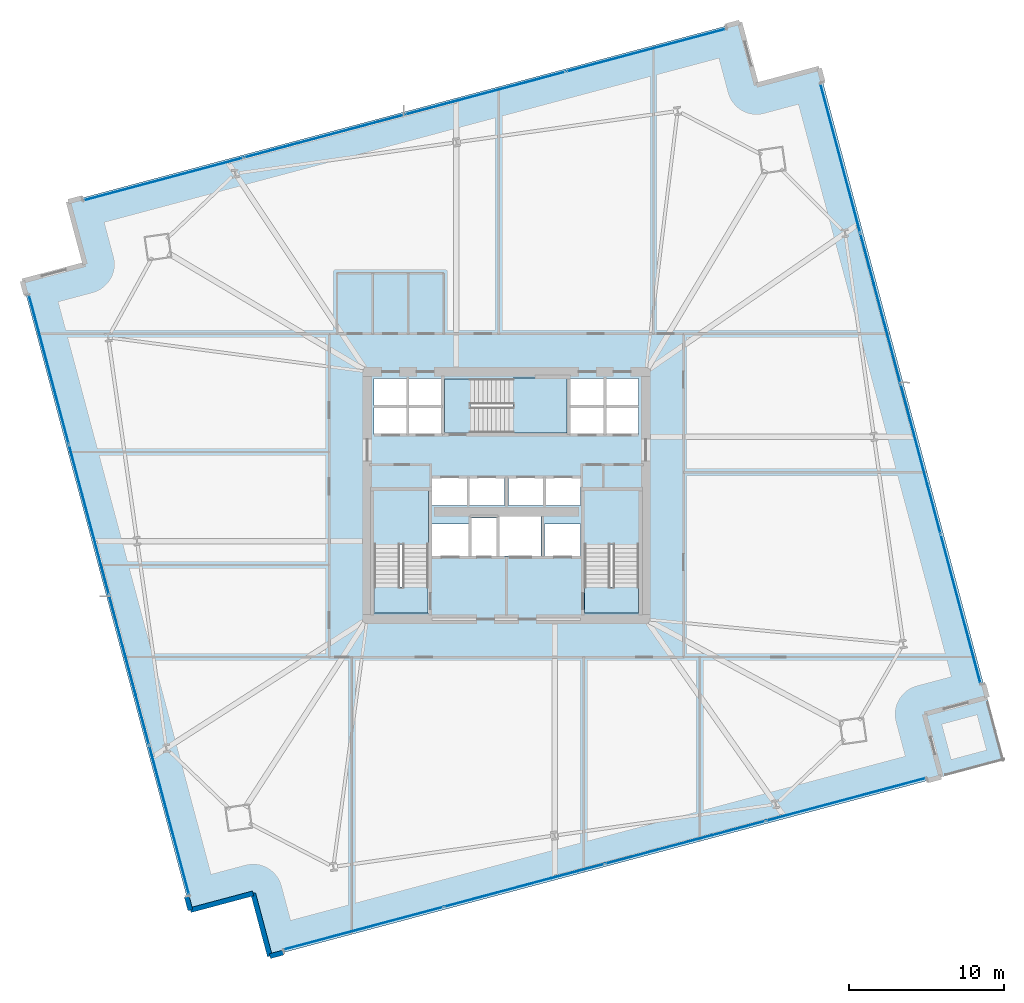
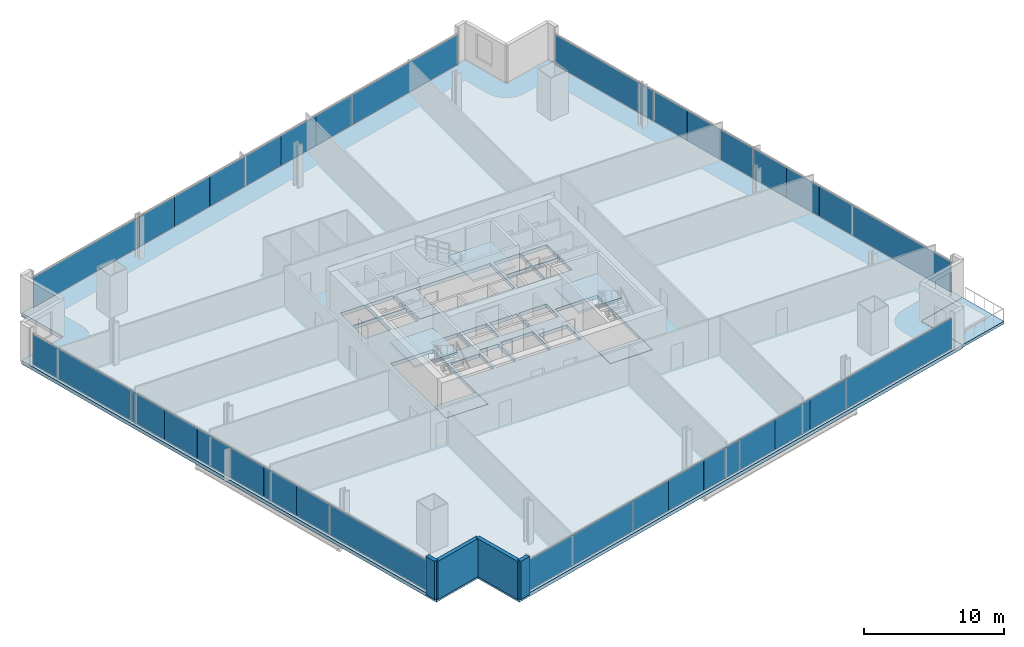
# One storey, part 24 of 33: 32 plates, 8 slabs, 4 walls, 7 elements without a shape of their own.
"""IFC4 building model written with IfcOpenShell, lengths in metres."""

from ifc_helpers import new_model, si_unit, direction, frame, frame_2d, origin, origin_2d, place, context, subcontext, project, spatial, polyline, rectangle, outline, extrude, source, transform, mapped, material, layer, layer_set, type_object, element, aggregate, save


model = new_model("IFC4")

# Units and contexts
model_context = context("Model", 3, precision=1e-05, world=origin(), true_north=direction((0.0, 1.0)))
body_context = subcontext(model_context, "Body", "Model", "MODEL_VIEW")
ifc_project = project(units=[si_unit("LENGTHUNIT", "METRE"), si_unit("AREAUNIT", "SQUARE_METRE"), si_unit("VOLUMEUNIT", "CUBIC_METRE"), si_unit("PLANEANGLEUNIT", "RADIAN"), si_unit("MASSUNIT", "GRAM", prefix="KILO")], contexts=[model_context])

# Site, building, storey
site_placement = place(None, origin())
site = spatial("IfcSite", under=ifc_project, at=site_placement, CompositionType="ELEMENT")
building_placement = place(site_placement, origin())
building = spatial("IfcBuilding", under=site, at=building_placement, Name="Haldenkirk Collegiate Tower", CompositionType="ELEMENT")
storey_placement = place(building_placement, frame((0.0, 0.0, 77.699951171875)))
storey = spatial("IfcBuildingStorey", under=building, at=storey_placement, Name="L18", CompositionType="ELEMENT", Elevation=77.699951171875)

# Slab
ifc_material_1 = material(Name="Concrete f'c 40 MPa", Category="concrete")
ifc_layer_1 = layer(ifc_material_1, 0.31005859375)
ifc_layer_set_1 = layer_set([ifc_layer_1], Name="Concrete f'c 40 MPa")
slab_type_1 = type_object("IfcSlabType", Name="SLB-FLR-310", PredefinedType="FLOOR", material=ifc_layer_set_1)
slab_1_placement = place(storey_placement, frame((0.0, 0.0, -0.31005859375)))
element("IfcSlab", 1, at=slab_1_placement, inside=storey, type_object=slab_type_1, Name="L18 composite structural floor slab", PredefinedType="FLOOR", context=body_context, shape_type="SweptSolid", body=[
    extrude(outline(polyline([(20.714111328125, -3.7763671875), (64.094482421875, 7.806884765625), (63.010986328125, 11.86474609375), (67.068603515625, 12.9482421875), (56.21435546875, 53.59912109375), (52.156494140625, 52.515380859375), (51.072998046875, 56.5732421875), (7.69287109375, 44.990234375), (8.7763671875, 40.932373046875), (4.718505859375, 39.848876953125), (15.57275390625, -0.802001953125), (19.630615234375, 0.281494140625), (20.714111328125, -3.7763671875)]), holes=[polyline([(27.449951171875, 18.39990234375), (30.949951171875, 18.39990234375), (30.949951171875, 26.300048828125), (27.449951171875, 26.300048828125), (27.449951171875, 18.39990234375)]), polyline([(41.050048828125, 18.39990234375), (44.550048828125, 18.39990234375), (44.550048828125, 26.300048828125), (41.050048828125, 26.300048828125), (41.050048828125, 18.39990234375)]), polyline([(32.0, 30.050048828125), (39.89990234375, 30.050048828125), (39.89990234375, 33.550048828125), (32.0, 33.550048828125), (32.0, 30.050048828125)]), polyline([(33.75, 22.10009765625), (35.35009765625, 22.10009765625), (35.35009765625, 24.550048828125), (33.75, 24.550048828125), (33.75, 22.10009765625)]), polyline([(27.449951171875, 29.949951171875), (29.580078125, 29.949951171875), (29.580078125, 31.699951171875), (27.449951171875, 31.699951171875), (27.449951171875, 29.949951171875)]), polyline([(29.679931640625, 29.949951171875), (31.85009765625, 29.949951171875), (31.85009765625, 31.699951171875), (29.679931640625, 31.699951171875), (29.679931640625, 29.949951171875)]), polyline([(27.449951171875, 31.800048828125), (29.580078125, 31.800048828125), (29.580078125, 33.550048828125), (27.449951171875, 33.550048828125), (27.449951171875, 31.800048828125)]), polyline([(29.679931640625, 31.800048828125), (31.85009765625, 31.800048828125), (31.85009765625, 33.550048828125), (29.679931640625, 33.550048828125), (29.679931640625, 31.800048828125)]), polyline([(40.14990234375, 29.949951171875), (42.320068359375, 29.949951171875), (42.320068359375, 31.699951171875), (40.14990234375, 31.699951171875), (40.14990234375, 29.949951171875)]), polyline([(42.419921875, 29.949951171875), (44.550048828125, 29.949951171875), (44.550048828125, 31.699951171875), (42.419921875, 31.699951171875), (42.419921875, 29.949951171875)]), polyline([(40.14990234375, 31.800048828125), (42.320068359375, 31.800048828125), (42.320068359375, 33.550048828125), (40.14990234375, 33.550048828125), (40.14990234375, 31.800048828125)]), polyline([(42.419921875, 31.800048828125), (44.550048828125, 31.800048828125), (44.550048828125, 33.550048828125), (42.419921875, 33.550048828125), (42.419921875, 31.800048828125)]), polyline([(31.199951171875, 25.35009765625), (33.47998046875, 25.35009765625), (33.47998046875, 27.14990234375), (31.199951171875, 27.14990234375), (31.199951171875, 25.35009765625)]), polyline([(33.60009765625, 25.35009765625), (35.8798828125, 25.35009765625), (35.8798828125, 27.14990234375), (33.60009765625, 27.14990234375), (33.60009765625, 25.35009765625)]), polyline([(36.1201171875, 25.35009765625), (38.39990234375, 25.35009765625), (38.39990234375, 27.14990234375), (36.1201171875, 27.14990234375), (36.1201171875, 25.35009765625)]), polyline([(38.52001953125, 25.35009765625), (40.800048828125, 25.35009765625), (40.800048828125, 27.14990234375), (38.52001953125, 27.14990234375), (38.52001953125, 25.35009765625)]), polyline([(31.199951171875, 22.10009765625), (33.550048828125, 22.10009765625), (33.550048828125, 24.14990234375), (31.199951171875, 24.14990234375), (31.199951171875, 22.10009765625)]), polyline([(38.449951171875, 22.10009765625), (40.800048828125, 22.10009765625), (40.800048828125, 24.14990234375), (38.449951171875, 24.14990234375), (38.449951171875, 22.10009765625)]), polyline([(35.550048828125, 22.10009765625), (38.25, 22.10009765625), (38.25, 24.64990234375), (35.550048828125, 24.64990234375), (35.550048828125, 22.10009765625)])]), origin(), (0.0, 0.0, 1.0), 0.31005859375),
])

# Stair, slab
stair_type = type_object("IfcStairType", Name="STR-DOGLEG-1650", PredefinedType="HALF_TURN_STAIR", material=ifc_material_1)
stair_1_placement = place(storey_placement, origin())
stair_1 = element("IfcStair", 2, at=stair_1_placement, inside=storey, type_object=stair_type, Name="L18 Core Exit Stair ST-1", PredefinedType="HALF_TURN_STAIR")
ifc_layer_2 = layer(ifc_material_1, 0.199951171875)
ifc_layer_set_2 = layer_set([ifc_layer_2], Name="Concrete f'c 40 MPa")
slab_type_2 = type_object("IfcSlabType", Name="SLB-LANDING-200", PredefinedType="LANDING", material=ifc_layer_set_2)
slab_2_placement = place(storey_placement, frame((0.0, 0.0, 1.675048828125)))
slab_2 = element("IfcSlab", 3, at=slab_2_placement, type_object=slab_type_2, Name="ST-1 landing 1", PredefinedType="LANDING", context=body_context, shape_type="SweptSolid", body=[
    extrude(outline(polyline([(30.97509765625, 22.824951171875), (27.425048828125, 22.824951171875), (27.425048828125, 26.324951171875), (30.97509765625, 26.324951171875), (30.97509765625, 22.824951171875)])), origin(), (0.0, 0.0, 1.0), 0.199951171875),
])
aggregate(stair_1, [slab_2])

stair_2_placement = place(storey_placement, origin())
stair_2 = element("IfcStair", 4, at=stair_2_placement, inside=storey, type_object=stair_type, Name="L18 Core Exit Stair ST-2", PredefinedType="HALF_TURN_STAIR")
slab_3_placement = place(storey_placement, frame((0.0, 0.0, 1.675048828125)))
slab_3 = element("IfcSlab", 5, at=slab_3_placement, type_object=slab_type_2, Name="ST-2 landing 1", PredefinedType="LANDING", context=body_context, shape_type="SweptSolid", body=[
    extrude(outline(polyline([(44.574951171875, 22.824951171875), (41.02490234375, 22.824951171875), (41.02490234375, 26.324951171875), (44.574951171875, 26.324951171875), (44.574951171875, 22.824951171875)])), origin(), (0.0, 0.0, 1.0), 0.199951171875),
])
aggregate(stair_2, [slab_3])

stair_3_placement = place(storey_placement, origin())
stair_3 = element("IfcStair", 6, at=stair_3_placement, inside=storey, type_object=stair_type, Name="L18 Core Exit Stair ST-3", PredefinedType="HALF_TURN_STAIR")
slab_4_placement = place(storey_placement, frame((0.0, 0.0, 1.675048828125)))
slab_4 = element("IfcSlab", 7, at=slab_4_placement, type_object=slab_type_2, Name="ST-3 landing 1", PredefinedType="LANDING", context=body_context, shape_type="SweptSolid", body=[
    extrude(outline(polyline([(36.425048828125, 30.02490234375), (36.425048828125, 33.574951171875), (39.925048828125, 33.574951171875), (39.925048828125, 30.02490234375), (36.425048828125, 30.02490234375)])), origin(), (0.0, 0.0, 1.0), 0.199951171875),
])
aggregate(stair_3, [slab_4])

# Slabs
ifc_layer_3 = layer(ifc_material_1, 0.25)
ifc_layer_set_3 = layer_set([ifc_layer_3], Name="Concrete f'c 40 MPa")
slab_type_3 = type_object("IfcSlabType", Name="SLB-STAIRLAND-250", PredefinedType="LANDING", material=ifc_layer_set_3)
slab_5_placement = place(storey_placement, frame((0.0, 0.0, -0.25)))
element("IfcSlab", 8, at=slab_5_placement, inside=storey, type_object=slab_type_3, Name="L18 stair ST1 structural floor landing slab", PredefinedType="LANDING", context=body_context, shape_type="SweptSolid", body=[
    extrude(outline(polyline([(27.4599609375, 18.409912109375), (30.93994140625, 18.409912109375), (30.93994140625, 20.080078125), (27.4599609375, 20.080078125), (27.4599609375, 18.409912109375)])), origin(), (0.0, 0.0, 1.0), 0.25),
])
slab_6_placement = place(storey_placement, frame((0.0, 0.0, -0.25)))
element("IfcSlab", 9, at=slab_6_placement, inside=storey, type_object=slab_type_3, Name="L18 stair ST2 structural floor landing slab", PredefinedType="LANDING", context=body_context, shape_type="SweptSolid", body=[
    extrude(outline(polyline([(41.06005859375, 18.409912109375), (44.5400390625, 18.409912109375), (44.5400390625, 20.080078125), (41.06005859375, 20.080078125), (41.06005859375, 18.409912109375)])), origin(), (0.0, 0.0, 1.0), 0.25),
])
slab_7_placement = place(storey_placement, frame((0.0, 0.0, -0.25)))
element("IfcSlab", 10, at=slab_7_placement, inside=storey, type_object=slab_type_3, Name="L18 stair ST3 structural floor landing slab", PredefinedType="LANDING", context=body_context, shape_type="SweptSolid", body=[
    extrude(outline(polyline([(32.010009765625, 30.06005859375), (33.679931640625, 30.06005859375), (33.679931640625, 33.5400390625), (32.010009765625, 33.5400390625), (32.010009765625, 30.06005859375)])), origin(), (0.0, 0.0, 1.0), 0.25),
])
ifc_layer_4 = layer(ifc_material_1, 0.22998046875)
ifc_layer_set_4 = layer_set([ifc_layer_4], Name="Concrete f'c 40 MPa")
slab_type_4 = type_object("IfcSlabType", Name="SLB-TERR-SPIRAL-230", PredefinedType="FLOOR", material=ifc_layer_set_4)
slab_8_placement = place(storey_placement, frame((0.0, 0.0, -0.22998046875)))
element("IfcSlab", 11, at=slab_8_placement, inside=storey, type_object=slab_type_4, Name="L18 spiralling corner terrace slab", PredefinedType="FLOOR", context=body_context, shape_type="SweptSolid", body=[
    extrude(outline(polyline([(64.094482421875, 7.806884765625), (68.152099609375, 8.890380859375), (67.068603515625, 12.9482421875), (63.010986328125, 11.86474609375), (64.094482421875, 7.806884765625)])), origin(), (0.0, 0.0, 1.0), 0.22998046875),
])

# Curtain wall, plates
ifc_material_2 = material(Name="Anodised architectural bronze aluminium", Category="aluminium")
curtain_wall_type_1 = type_object("IfcCurtainWallType", Name="CW-SYS2-CONCAVE", PredefinedType="USERDEFINED", material=ifc_material_2)
curtain_wall_1_placement = place(storey_placement, origin())
curtain_wall_1 = element("IfcCurtainWall", 12, at=curtain_wall_1_placement, inside=storey, type_object=curtain_wall_type_1, Name="L18 South concave recessed bronze-anodised curtain wall", ObjectType="UNITISED CURTAIN WALL", PredefinedType="USERDEFINED")
ifc_material_3 = material(Name="Low-E argon triple insulating glass", Category="glass")
ifc_layer_5 = layer(ifc_material_3, 0.0419921875)
ifc_layer_set_5 = layer_set([ifc_layer_5], Name="Low-E argon triple insulating glass")
plate_type_1 = type_object("IfcPlateType", Name="CW-PNL-02", PredefinedType="CURTAIN_PANEL", material=ifc_layer_set_5)
shared_shape_1 = source(origin(), body_context, "Body", "SweptSolid", [
    extrude(rectangle(XDim=10.66259765625, YDim=0.0419921875, at=origin_2d()), origin(), (0.0, 0.0, 1.0), 2.64111328125),
])
plate_1_placement = place(storey_placement, frame((57.955322265625, 6.35400390625, 0.074951171875), z_axis=(0.0, 0.0, 1.0), x_axis=(-0.966151246644, -0.257976294663, 0.0)))
plate_1 = element("IfcPlate", 13, at=plate_1_placement, type_object=plate_type_1, Name="CW-02 panel 1.1", PredefinedType="CURTAIN_PANEL", context=body_context, shape_type="MappedRepresentation", body=[
    mapped(shared_shape_1, transform((0.0, 0.0, 0.0), x_axis=(1.0, 0.0, 0.0), y_axis=(0.0, 1.0, 0.0), z_axis=(0.0, 0.0, 1.0), scale=1.0)),
])
plate_2_placement = place(storey_placement, frame((26.760498046875, -1.9755859375, 0.074951171875), z_axis=(0.0, 0.0, 1.0), x_axis=(-0.966151246644, -0.257976294663, 0.0)))
plate_2 = element("IfcPlate", 14, at=plate_2_placement, type_object=plate_type_1, Name="CW-02 panel 4.1", PredefinedType="CURTAIN_PANEL", context=body_context, shape_type="MappedRepresentation", body=[
    mapped(shared_shape_1, transform((0.0, 0.0, 0.0), x_axis=(1.0, 0.0, 0.0), y_axis=(0.0, 1.0, 0.0), z_axis=(0.0, 0.0, 1.0), scale=1.0)),
])
shared_shape_2 = source(origin(), body_context, "Body", "SweptSolid", [
    extrude(rectangle(XDim=3.55419921875, YDim=0.0419921875, at=origin_2d()), origin(), (0.0, 0.0, 1.0), 2.64111328125),
])
plate_3_placement = place(storey_placement, frame((51.014892578125, 4.500732421875, 0.074951171875), z_axis=(0.0, 0.0, 1.0), x_axis=(-0.966151246644, -0.257976294663, 0.0)))
plate_3 = element("IfcPlate", 15, at=plate_3_placement, type_object=plate_type_1, Name="CW-02 panel 2.1a", PredefinedType="CURTAIN_PANEL", context=body_context, shape_type="MappedRepresentation", body=[
    mapped(shared_shape_2, transform((0.0, 0.0, 0.0), x_axis=(1.0, 0.0, 0.0), y_axis=(0.0, 1.0, 0.0), z_axis=(0.0, 0.0, 1.0), scale=1.0)),
])
ifc_material_4 = material(Name="Bronze-anodised insulated aluminium spandrel panel", Category="aluminium")
ifc_layer_6 = layer(ifc_material_4, 0.0419921875)
ifc_layer_set_6 = layer_set([ifc_layer_6], Name="Bronze-anodised insulated aluminium spandrel panel")
plate_type_2 = type_object("IfcPlateType", Name="CW-SPD-02", PredefinedType="CURTAIN_PANEL", material=ifc_layer_set_6)
plate_4_placement = place(storey_placement, frame((44.111083984375, 2.6572265625, 0.074951171875), z_axis=(0.0, 0.0, 1.0), x_axis=(-0.966151246644, -0.257976294663, 0.0)))
plate_4 = element("IfcPlate", 16, at=plate_4_placement, type_object=plate_type_2, Name="CW-02 spandrel panel 2.1c", PredefinedType="CURTAIN_PANEL", context=body_context, shape_type="MappedRepresentation", body=[
    mapped(shared_shape_2, transform((0.0, 0.0, 0.0), x_axis=(1.0, 0.0, 0.0), y_axis=(0.0, 1.0, 0.0), z_axis=(0.0, 0.0, 1.0), scale=1.0)),
])
plate_5_placement = place(storey_placement, frame((40.604736328125, 1.72119140625, 0.074951171875), z_axis=(0.0, 0.0, 1.0), x_axis=(-0.966151246644, -0.257976294663, 0.0)))
plate_5 = element("IfcPlate", 17, at=plate_5_placement, type_object=plate_type_2, Name="CW-02 spandrel panel 3.1a", PredefinedType="CURTAIN_PANEL", context=body_context, shape_type="MappedRepresentation", body=[
    mapped(shared_shape_2, transform((0.0, 0.0, 0.0), x_axis=(1.0, 0.0, 0.0), y_axis=(0.0, 1.0, 0.0), z_axis=(0.0, 0.0, 1.0), scale=1.0)),
])
plate_6_placement = place(storey_placement, frame((33.70068359375, -0.122314453125, 0.074951171875), z_axis=(0.0, 0.0, 1.0), x_axis=(-0.966151246644, -0.257976294663, 0.0)))
plate_6 = element("IfcPlate", 18, at=plate_6_placement, type_object=plate_type_1, Name="CW-02 panel 3.1c", PredefinedType="CURTAIN_PANEL", context=body_context, shape_type="MappedRepresentation", body=[
    mapped(shared_shape_2, transform((0.0, 0.0, 0.0), x_axis=(1.0, 0.0, 0.0), y_axis=(0.0, 1.0, 0.0), z_axis=(0.0, 0.0, 1.0), scale=1.0)),
])
shared_shape_3 = source(origin(), body_context, "Body", "SweptSolid", [
    extrude(rectangle(XDim=3.541748046875, YDim=0.0419921875, at=origin_2d()), origin(), (0.0, 0.0, 1.0), 2.64111328125),
])
plate_7_placement = place(storey_placement, frame((47.56298828125, 3.5791015625, 0.074951171875), z_axis=(0.0, 0.0, 1.0), x_axis=(-0.966151246644, -0.257976294663, 0.0)))
plate_7 = element("IfcPlate", 19, at=plate_7_placement, type_object=plate_type_2, Name="CW-02 spandrel panel 2.1b", PredefinedType="CURTAIN_PANEL", context=body_context, shape_type="MappedRepresentation", body=[
    mapped(shared_shape_3, transform((0.0, 0.0, 0.0), x_axis=(1.0, 0.0, 0.0), y_axis=(0.0, 1.0, 0.0), z_axis=(0.0, 0.0, 1.0), scale=1.0)),
])
plate_8_placement = place(storey_placement, frame((37.15283203125, 0.79931640625, 0.074951171875), z_axis=(0.0, 0.0, 1.0), x_axis=(-0.966151246644, -0.257976294663, 0.0)))
plate_8 = element("IfcPlate", 20, at=plate_8_placement, type_object=plate_type_2, Name="CW-02 spandrel panel 3.1b", PredefinedType="CURTAIN_PANEL", context=body_context, shape_type="MappedRepresentation", body=[
    mapped(shared_shape_3, transform((0.0, 0.0, 0.0), x_axis=(1.0, 0.0, 0.0), y_axis=(0.0, 1.0, 0.0), z_axis=(0.0, 0.0, 1.0), scale=1.0)),
])
aggregate(curtain_wall_1, [plate_1, plate_3, plate_7, plate_4, plate_5, plate_8, plate_6, plate_2])

curtain_wall_type_2 = type_object("IfcCurtainWallType", Name="CW-SYS1-CONVEX-LOW", PredefinedType="USERDEFINED", material=ifc_material_2)
curtain_wall_2_placement = place(storey_placement, origin())
curtain_wall_2 = element("IfcCurtainWall", 21, at=curtain_wall_2_placement, inside=storey, type_object=curtain_wall_type_2, Name="L18 Lower tower convex bronze-framed unitised curtain wall", ObjectType="UNITISED CURTAIN WALL", PredefinedType="USERDEFINED")
ifc_layer_7 = layer(ifc_material_3, 0.0439453125)
ifc_layer_set_7 = layer_set([ifc_layer_7], Name="Low-E argon triple insulating glass")
plate_type_3 = type_object("IfcPlateType", Name="CW-PNL-1A", PredefinedType="CURTAIN_PANEL", material=ifc_layer_set_7)
shared_shape_4 = source(origin(), body_context, "Body", "SweptSolid", [
    extrude(rectangle(XDim=9.94873046875, YDim=0.0439453125, at=origin_2d()), origin(), (0.0, 0.0, 1.0), 2.631103515625),
])
plate_9_placement = place(storey_placement, frame((57.576416015625, 47.7998046875, 0.080078125), z_axis=(0.0, 0.0, 1.0), x_axis=(0.257976042062, -0.966151314092, 0.0)))
plate_9 = element("IfcPlate", 22, at=plate_9_placement, type_object=plate_type_3, Name="CW-1A panel 1.1", PredefinedType="CURTAIN_PANEL", context=body_context, shape_type="MappedRepresentation", body=[
    mapped(shared_shape_4, transform((0.0, 0.0, 0.0), x_axis=(1.0, 0.0, 0.0), y_axis=(0.0, 1.0, 0.0), z_axis=(0.0, 0.0, 1.0), scale=1.0)),
])
plate_10_placement = place(storey_placement, frame((65.358642578125, 18.654541015625, 0.080078125), z_axis=(0.0, 0.0, 1.0), x_axis=(0.257976042062, -0.966151314092, 0.0)))
plate_10 = element("IfcPlate", 23, at=plate_10_placement, type_object=plate_type_3, Name="CW-1A panel 4.1", PredefinedType="CURTAIN_PANEL", context=body_context, shape_type="MappedRepresentation", body=[
    mapped(shared_shape_4, transform((0.0, 0.0, 0.0), x_axis=(1.0, 0.0, 0.0), y_axis=(0.0, 1.0, 0.0), z_axis=(0.0, 0.0, 1.0), scale=1.0)),
])

curtain_wall_3_placement = place(storey_placement, origin())
curtain_wall_3 = element("IfcCurtainWall", 24, at=curtain_wall_3_placement, inside=storey, type_object=curtain_wall_type_2, Name="L18 Lower tower convex bronze-framed unitised curtain wall", ObjectType="UNITISED CURTAIN WALL", PredefinedType="USERDEFINED")
plate_11_placement = place(storey_placement, frame((14.210693359375, 4.997314453125, 0.080078125), z_axis=(0.0, 0.0, 1.0), x_axis=(-0.257973724375, 0.966151932944, 0.0)))
plate_11 = element("IfcPlate", 25, at=plate_11_placement, type_object=plate_type_3, Name="CW-1A panel 1.1", PredefinedType="CURTAIN_PANEL", context=body_context, shape_type="MappedRepresentation", body=[
    mapped(shared_shape_4, transform((0.0, 0.0, 0.0), x_axis=(1.0, 0.0, 0.0), y_axis=(0.0, 1.0, 0.0), z_axis=(0.0, 0.0, 1.0), scale=1.0)),
])
plate_12_placement = place(storey_placement, frame((6.428466796875, 34.142578125, 0.080078125), z_axis=(0.0, 0.0, 1.0), x_axis=(-0.257973724375, 0.966151932944, 0.0)))
plate_12 = element("IfcPlate", 26, at=plate_12_placement, type_object=plate_type_3, Name="CW-1A panel 4.1", PredefinedType="CURTAIN_PANEL", context=body_context, shape_type="MappedRepresentation", body=[
    mapped(shared_shape_4, transform((0.0, 0.0, 0.0), x_axis=(1.0, 0.0, 0.0), y_axis=(0.0, 1.0, 0.0), z_axis=(0.0, 0.0, 1.0), scale=1.0)),
])

# Plate
shared_shape_5 = source(origin(), body_context, "Body", "SweptSolid", [
    extrude(rectangle(XDim=3.317138671875, YDim=0.0439453125, at=origin_2d()), origin(), (0.0, 0.0, 1.0), 2.631103515625),
])
plate_13_placement = place(storey_placement, frame((59.308349609375, 41.314208984375, 0.080078125), z_axis=(0.0, 0.0, 1.0), x_axis=(0.257976042062, -0.966151314092, 0.0)))
plate_13 = element("IfcPlate", 27, at=plate_13_placement, type_object=plate_type_3, Name="CW-1A panel 2.1a", PredefinedType="CURTAIN_PANEL", context=body_context, shape_type="MappedRepresentation", body=[
    mapped(shared_shape_5, transform((0.0, 0.0, 0.0), x_axis=(1.0, 0.0, 0.0), y_axis=(0.0, 1.0, 0.0), z_axis=(0.0, 0.0, 1.0), scale=1.0)),
])

ifc_layer_8 = layer(ifc_material_4, 0.0439453125)
ifc_layer_set_8 = layer_set([ifc_layer_8], Name="Bronze-anodised insulated aluminium spandrel panel")
plate_type_4 = type_object("IfcPlateType", Name="CW-SPD-1A", PredefinedType="CURTAIN_PANEL", material=ifc_layer_set_8)
plate_14_placement = place(storey_placement, frame((61.029296875, 34.868408203125, 0.080078125), z_axis=(0.0, 0.0, 1.0), x_axis=(0.257976042062, -0.966151314092, 0.0)))
plate_14 = element("IfcPlate", 28, at=plate_14_placement, type_object=plate_type_4, Name="CW-1A spandrel panel 2.1c", PredefinedType="CURTAIN_PANEL", context=body_context, shape_type="MappedRepresentation", body=[
    mapped(shared_shape_5, transform((0.0, 0.0, 0.0), x_axis=(1.0, 0.0, 0.0), y_axis=(0.0, 1.0, 0.0), z_axis=(0.0, 0.0, 1.0), scale=1.0)),
])

plate_15_placement = place(storey_placement, frame((61.90576171875, 31.586181640625, 0.080078125), z_axis=(0.0, 0.0, 1.0), x_axis=(0.257976042062, -0.966151314092, 0.0)))
plate_15 = element("IfcPlate", 29, at=plate_15_placement, type_object=plate_type_4, Name="CW-1A spandrel panel 3.1a", PredefinedType="CURTAIN_PANEL", context=body_context, shape_type="MappedRepresentation", body=[
    mapped(shared_shape_5, transform((0.0, 0.0, 0.0), x_axis=(1.0, 0.0, 0.0), y_axis=(0.0, 1.0, 0.0), z_axis=(0.0, 0.0, 1.0), scale=1.0)),
])

plate_16_placement = place(storey_placement, frame((63.626953125, 25.140380859375, 0.080078125), z_axis=(0.0, 0.0, 1.0), x_axis=(0.257976042062, -0.966151314092, 0.0)))
plate_16 = element("IfcPlate", 30, at=plate_16_placement, type_object=plate_type_3, Name="CW-1A panel 3.1c", PredefinedType="CURTAIN_PANEL", context=body_context, shape_type="MappedRepresentation", body=[
    mapped(shared_shape_5, transform((0.0, 0.0, 0.0), x_axis=(1.0, 0.0, 0.0), y_axis=(0.0, 1.0, 0.0), z_axis=(0.0, 0.0, 1.0), scale=1.0)),
])

plate_17_placement = place(storey_placement, frame((12.478759765625, 11.48291015625, 0.080078125), z_axis=(0.0, 0.0, 1.0), x_axis=(-0.257973724375, 0.966151932944, 0.0)))
plate_17 = element("IfcPlate", 31, at=plate_17_placement, type_object=plate_type_3, Name="CW-1A panel 2.1a", PredefinedType="CURTAIN_PANEL", context=body_context, shape_type="MappedRepresentation", body=[
    mapped(shared_shape_5, transform((0.0, 0.0, 0.0), x_axis=(1.0, 0.0, 0.0), y_axis=(0.0, 1.0, 0.0), z_axis=(0.0, 0.0, 1.0), scale=1.0)),
])

plate_18_placement = place(storey_placement, frame((10.7578125, 17.9287109375, 0.080078125), z_axis=(0.0, 0.0, 1.0), x_axis=(-0.257973724375, 0.966151932944, 0.0)))
plate_18 = element("IfcPlate", 32, at=plate_18_placement, type_object=plate_type_4, Name="CW-1A spandrel panel 2.1c", PredefinedType="CURTAIN_PANEL", context=body_context, shape_type="MappedRepresentation", body=[
    mapped(shared_shape_5, transform((0.0, 0.0, 0.0), x_axis=(1.0, 0.0, 0.0), y_axis=(0.0, 1.0, 0.0), z_axis=(0.0, 0.0, 1.0), scale=1.0)),
])

plate_19_placement = place(storey_placement, frame((9.88134765625, 21.2109375, 0.080078125), z_axis=(0.0, 0.0, 1.0), x_axis=(-0.257973724375, 0.966151932944, 0.0)))
plate_19 = element("IfcPlate", 33, at=plate_19_placement, type_object=plate_type_4, Name="CW-1A spandrel panel 3.1a", PredefinedType="CURTAIN_PANEL", context=body_context, shape_type="MappedRepresentation", body=[
    mapped(shared_shape_5, transform((0.0, 0.0, 0.0), x_axis=(1.0, 0.0, 0.0), y_axis=(0.0, 1.0, 0.0), z_axis=(0.0, 0.0, 1.0), scale=1.0)),
])

plate_20_placement = place(storey_placement, frame((8.160400390625, 27.65673828125, 0.080078125), z_axis=(0.0, 0.0, 1.0), x_axis=(-0.257973724375, 0.966151932944, 0.0)))
plate_20 = element("IfcPlate", 34, at=plate_20_placement, type_object=plate_type_3, Name="CW-1A panel 3.1c", PredefinedType="CURTAIN_PANEL", context=body_context, shape_type="MappedRepresentation", body=[
    mapped(shared_shape_5, transform((0.0, 0.0, 0.0), x_axis=(1.0, 0.0, 0.0), y_axis=(0.0, 1.0, 0.0), z_axis=(0.0, 0.0, 1.0), scale=1.0)),
])

shared_shape_6 = source(origin(), body_context, "Body", "SweptSolid", [
    extrude(rectangle(XDim=3.3046875, YDim=0.0439453125, at=origin_2d()), origin(), (0.0, 0.0, 1.0), 2.631103515625),
])
plate_21_placement = place(storey_placement, frame((60.168701171875, 38.09130859375, 0.080078125), z_axis=(0.0, 0.0, 1.0), x_axis=(0.257976042062, -0.966151314092, 0.0)))
plate_21 = element("IfcPlate", 35, at=plate_21_placement, type_object=plate_type_4, Name="CW-1A spandrel panel 2.1b", PredefinedType="CURTAIN_PANEL", context=body_context, shape_type="MappedRepresentation", body=[
    mapped(shared_shape_6, transform((0.0, 0.0, 0.0), x_axis=(1.0, 0.0, 0.0), y_axis=(0.0, 1.0, 0.0), z_axis=(0.0, 0.0, 1.0), scale=1.0)),
])

plate_22_placement = place(storey_placement, frame((62.766357421875, 28.36328125, 0.080078125), z_axis=(0.0, 0.0, 1.0), x_axis=(0.257976042062, -0.966151314092, 0.0)))
plate_22 = element("IfcPlate", 36, at=plate_22_placement, type_object=plate_type_4, Name="CW-1A spandrel panel 3.1b", PredefinedType="CURTAIN_PANEL", context=body_context, shape_type="MappedRepresentation", body=[
    mapped(shared_shape_6, transform((0.0, 0.0, 0.0), x_axis=(1.0, 0.0, 0.0), y_axis=(0.0, 1.0, 0.0), z_axis=(0.0, 0.0, 1.0), scale=1.0)),
])

aggregate(curtain_wall_2, [plate_9, plate_13, plate_21, plate_14, plate_15, plate_22, plate_16, plate_10])

plate_23_placement = place(storey_placement, frame((11.618408203125, 14.705810546875, 0.080078125), z_axis=(0.0, 0.0, 1.0), x_axis=(-0.257973724375, 0.966151932944, 0.0)))
plate_23 = element("IfcPlate", 37, at=plate_23_placement, type_object=plate_type_4, Name="CW-1A spandrel panel 2.1b", PredefinedType="CURTAIN_PANEL", context=body_context, shape_type="MappedRepresentation", body=[
    mapped(shared_shape_6, transform((0.0, 0.0, 0.0), x_axis=(1.0, 0.0, 0.0), y_axis=(0.0, 1.0, 0.0), z_axis=(0.0, 0.0, 1.0), scale=1.0)),
])

plate_24_placement = place(storey_placement, frame((9.020751953125, 24.433837890625, 0.080078125), z_axis=(0.0, 0.0, 1.0), x_axis=(-0.257973724375, 0.966151932944, 0.0)))
plate_24 = element("IfcPlate", 38, at=plate_24_placement, type_object=plate_type_4, Name="CW-1A spandrel panel 3.1b", PredefinedType="CURTAIN_PANEL", context=body_context, shape_type="MappedRepresentation", body=[
    mapped(shared_shape_6, transform((0.0, 0.0, 0.0), x_axis=(1.0, 0.0, 0.0), y_axis=(0.0, 1.0, 0.0), z_axis=(0.0, 0.0, 1.0), scale=1.0)),
])

aggregate(curtain_wall_3, [plate_11, plate_17, plate_23, plate_18, plate_19, plate_24, plate_20, plate_12])

# Curtain wall, plates
curtain_wall_4_placement = place(storey_placement, origin())
curtain_wall_4 = element("IfcCurtainWall", 39, at=curtain_wall_4_placement, inside=storey, type_object=curtain_wall_type_2, Name="L18 Lower tower convex bronze-framed unitised curtain wall", ObjectType="UNITISED CURTAIN WALL", PredefinedType="USERDEFINED")
shared_shape_7 = source(origin(), body_context, "Body", "SweptSolid", [
    extrude(rectangle(XDim=10.655029296875, YDim=0.0439453125, at=origin_2d()), origin(), (0.0, 0.0, 1.0), 2.631103515625),
])
plate_25_placement = place(storey_placement, frame((13.833251953125, 46.443603515625, 0.080078125), z_axis=(0.0, 0.0, 1.0), x_axis=(0.966151824934, 0.257974128891, 0.0)))
plate_25 = element("IfcPlate", 40, at=plate_25_placement, type_object=plate_type_3, Name="CW-1A panel 1.1", PredefinedType="CURTAIN_PANEL", context=body_context, shape_type="MappedRepresentation", body=[
    mapped(shared_shape_7, transform((0.0, 0.0, 0.0), x_axis=(1.0, 0.0, 0.0), y_axis=(0.0, 1.0, 0.0), z_axis=(0.0, 0.0, 1.0), scale=1.0)),
])
plate_26_placement = place(storey_placement, frame((45.025390625, 54.772216796875, 0.080078125), z_axis=(0.0, 0.0, 1.0), x_axis=(0.966151824934, 0.257974128891, 0.0)))
plate_26 = element("IfcPlate", 41, at=plate_26_placement, type_object=plate_type_3, Name="CW-1A panel 4.1", PredefinedType="CURTAIN_PANEL", context=body_context, shape_type="MappedRepresentation", body=[
    mapped(shared_shape_7, transform((0.0, 0.0, 0.0), x_axis=(1.0, 0.0, 0.0), y_axis=(0.0, 1.0, 0.0), z_axis=(0.0, 0.0, 1.0), scale=1.0)),
])
shared_shape_8 = source(origin(), body_context, "Body", "SweptSolid", [
    extrude(rectangle(XDim=3.552490234375, YDim=0.0439453125, at=origin_2d()), origin(), (0.0, 0.0, 1.0), 2.631103515625),
])
plate_27_placement = place(storey_placement, frame((20.773681640625, 48.296630859375, 0.080078125), z_axis=(0.0, 0.0, 1.0), x_axis=(0.966151824934, 0.257974128891, 0.0)))
plate_27 = element("IfcPlate", 42, at=plate_27_placement, type_object=plate_type_3, Name="CW-1A panel 2.1a", PredefinedType="CURTAIN_PANEL", context=body_context, shape_type="MappedRepresentation", body=[
    mapped(shared_shape_8, transform((0.0, 0.0, 0.0), x_axis=(1.0, 0.0, 0.0), y_axis=(0.0, 1.0, 0.0), z_axis=(0.0, 0.0, 1.0), scale=1.0)),
])
plate_28_placement = place(storey_placement, frame((27.674560546875, 50.139404296875, 0.080078125), z_axis=(0.0, 0.0, 1.0), x_axis=(0.966151824934, 0.257974128891, 0.0)))
plate_28 = element("IfcPlate", 43, at=plate_28_placement, type_object=plate_type_4, Name="CW-1A spandrel panel 2.1c", PredefinedType="CURTAIN_PANEL", context=body_context, shape_type="MappedRepresentation", body=[
    mapped(shared_shape_8, transform((0.0, 0.0, 0.0), x_axis=(1.0, 0.0, 0.0), y_axis=(0.0, 1.0, 0.0), z_axis=(0.0, 0.0, 1.0), scale=1.0)),
])
plate_29_placement = place(storey_placement, frame((31.18408203125, 51.076416015625, 0.080078125), z_axis=(0.0, 0.0, 1.0), x_axis=(0.966151824934, 0.257974128891, 0.0)))
plate_29 = element("IfcPlate", 44, at=plate_29_placement, type_object=plate_type_4, Name="CW-1A spandrel panel 3.1a", PredefinedType="CURTAIN_PANEL", context=body_context, shape_type="MappedRepresentation", body=[
    mapped(shared_shape_8, transform((0.0, 0.0, 0.0), x_axis=(1.0, 0.0, 0.0), y_axis=(0.0, 1.0, 0.0), z_axis=(0.0, 0.0, 1.0), scale=1.0)),
])
plate_30_placement = place(storey_placement, frame((38.084716796875, 52.9189453125, 0.080078125), z_axis=(0.0, 0.0, 1.0), x_axis=(0.966151824934, 0.257974128891, 0.0)))
plate_30 = element("IfcPlate", 45, at=plate_30_placement, type_object=plate_type_3, Name="CW-1A panel 3.1c", PredefinedType="CURTAIN_PANEL", context=body_context, shape_type="MappedRepresentation", body=[
    mapped(shared_shape_8, transform((0.0, 0.0, 0.0), x_axis=(1.0, 0.0, 0.0), y_axis=(0.0, 1.0, 0.0), z_axis=(0.0, 0.0, 1.0), scale=1.0)),
])
shared_shape_9 = source(origin(), body_context, "Body", "SweptSolid", [
    extrude(rectangle(XDim=3.5400390625, YDim=0.0439453125, at=origin_2d()), origin(), (0.0, 0.0, 1.0), 2.631103515625),
])
plate_31_placement = place(storey_placement, frame((24.22412109375, 49.218017578125, 0.080078125), z_axis=(0.0, 0.0, 1.0), x_axis=(0.966151824934, 0.257974128891, 0.0)))
plate_31 = element("IfcPlate", 46, at=plate_31_placement, type_object=plate_type_4, Name="CW-1A spandrel panel 2.1b", PredefinedType="CURTAIN_PANEL", context=body_context, shape_type="MappedRepresentation", body=[
    mapped(shared_shape_9, transform((0.0, 0.0, 0.0), x_axis=(1.0, 0.0, 0.0), y_axis=(0.0, 1.0, 0.0), z_axis=(0.0, 0.0, 1.0), scale=1.0)),
])
plate_32_placement = place(storey_placement, frame((34.634521484375, 51.997802734375, 0.080078125), z_axis=(0.0, 0.0, 1.0), x_axis=(0.966151824934, 0.257974128891, 0.0)))
plate_32 = element("IfcPlate", 47, at=plate_32_placement, type_object=plate_type_4, Name="CW-1A spandrel panel 3.1b", PredefinedType="CURTAIN_PANEL", context=body_context, shape_type="MappedRepresentation", body=[
    mapped(shared_shape_9, transform((0.0, 0.0, 0.0), x_axis=(1.0, 0.0, 0.0), y_axis=(0.0, 1.0, 0.0), z_axis=(0.0, 0.0, 1.0), scale=1.0)),
])
aggregate(curtain_wall_4, [plate_25, plate_27, plate_31, plate_28, plate_29, plate_32, plate_30, plate_26])

# Walls
ifc_material_5 = material(Name="Precast concrete f'c 40 MPa", Category="concrete")
ifc_layer_9 = layer(ifc_material_5, 0.320068359375)
ifc_layer_set_9 = layer_set([ifc_layer_9], Name="Precast concrete f'c 40 MPa")
wall_type = type_object("IfcWallType", Name="WL-EXT-TWR-320", PredefinedType="STANDARD", material=ifc_layer_set_9)
for number, where, z_axis, x_axis, name in (
    (48, (21.583740234375, -3.544189453125, 0.0), (0.0, 0.0, 1.0), (-0.966158364413, -0.257949636316, 0.0), "L18 precast corner pier SR"),
    (49, (15.57275390625, -0.802001953125, 0.0), (0.0, 0.0, 1.0), (-0.257949636316, 0.966158364413, 0.0), "L18 precast corner pier WL"),
):
    element("IfcWall", number, at=place(storey_placement, frame(where, z_axis=z_axis, x_axis=x_axis)), inside=storey, type_object=wall_type, Name=name, PredefinedType="STANDARD", context=body_context, shape_type="SweptSolid", body=[
        extrude(rectangle(XDim=0.900146484375, YDim=0.320068359375, at=frame_2d((0.4501953125, 0.0))), origin(), (0.0, 0.0, 1.0), 3.340087890625),
    ])
for number, where, z_axis, x_axis, name in (
    (50, (19.630615234375, 0.281494140625, 0.0), (0.0, 0.0, 1.0), (-0.966151917865, -0.257973780849, 0.0), "L18 bronze precast notch wall 11"),
    (51, (20.714111328125, -3.7763671875, 0.0), (0.0, 0.0, 1.0), (-0.257973780849, 0.966151917865, 0.0), "L18 bronze precast notch wall 12"),
):
    element("IfcWall", number, at=place(storey_placement, frame(where, z_axis=z_axis, x_axis=x_axis)), inside=storey, type_object=wall_type, Name=name, PredefinedType="STANDARD", context=body_context, shape_type="SweptSolid", body=[
        extrude(rectangle(XDim=4.199951171875, YDim=0.320068359375, at=frame_2d((2.10009765625, 0.0))), origin(), (0.0, 0.0, 1.0), 3.340087890625),
    ])

save(model, "model.ifc")
